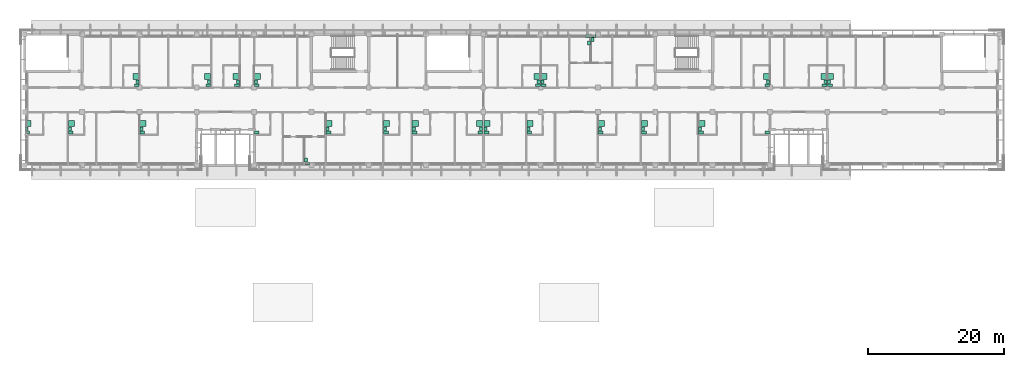
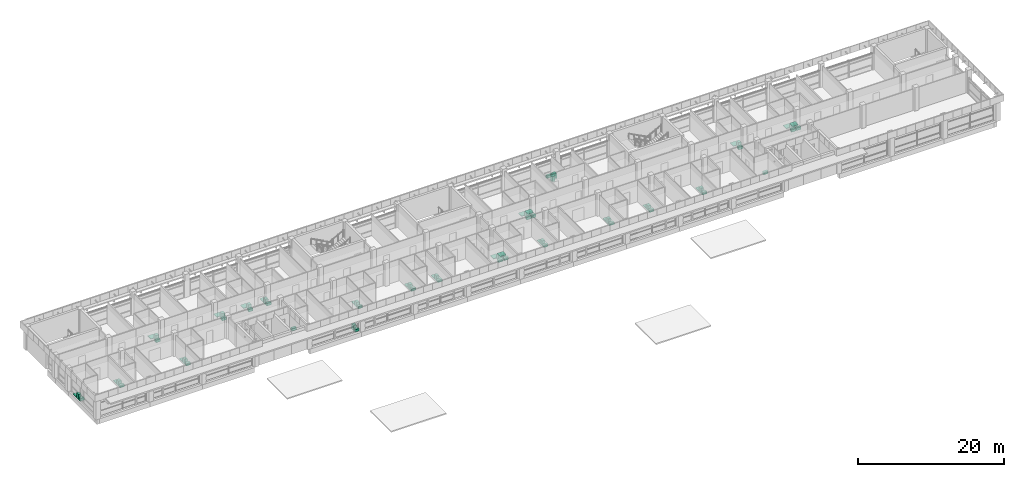
# One storey, part 36 of 36: 71 sanitary terminals.
"""IFC4 building model written with IfcOpenShell, lengths in metres."""

from ifc_helpers import new_model, si_unit, direction, frame, origin, origin_2d, place, context, subcontext, project, spatial, rectangle, extrude, material, type_object, element, save


model = new_model("IFC4")

# Units and contexts
model_context = context("Model", 3, precision=1e-05, world=origin(), true_north=direction((0.0, 1.0)))
body_context = subcontext(model_context, "Body", "Model", "MODEL_VIEW")
ifc_project = project(units=[si_unit("LENGTHUNIT", "METRE"), si_unit("AREAUNIT", "SQUARE_METRE"), si_unit("VOLUMEUNIT", "CUBIC_METRE"), si_unit("PLANEANGLEUNIT", "RADIAN"), si_unit("MASSUNIT", "GRAM", prefix="KILO")], contexts=[model_context])

# Site, building, storey
site_placement = place(None, origin())
site = spatial("IfcSite", under=ifc_project, at=site_placement, CompositionType="ELEMENT")
building_placement = place(site_placement, origin())
building = spatial("IfcBuilding", under=site, at=building_placement, Name="Bougainvillea Quay General Hospital", CompositionType="ELEMENT")
storey_placement = place(building_placement, frame((0.0, 0.0, 32.699951171875)))
storey = spatial("IfcBuildingStorey", under=building, at=storey_placement, Name="L07", CompositionType="ELEMENT", Elevation=32.699951171875)

# Sanitary terminals
ifc_material = material(Name="Vitreous china")
sanitary_terminal_type_1 = type_object("IfcSanitaryTerminalType", Name="Shower tray 900x900", PredefinedType="SHOWER", material=ifc_material)
for number, where, z_axis, x_axis, name in (
    (1, (42.449951171875, 146.52490234375, 0.0), (0.0, 0.0, 1.0), (0.0, 1.0, 0.0), "Shower tray"),
    (2, (48.824951171875, 146.52490234375, 0.0), (0.0, 0.0, 1.0), (0.0, 1.0, 0.0), "Shower tray"),
    (3, (59.300048828125, 146.52490234375, 0.0), (0.0, 0.0, 1.0), (0.0, 1.0, 0.0), "Shower tray"),
    (4, (58.300048828125, 153.425048828125, 0.0), (0.0, 0.0, 1.0), (0.0, -1.0, 0.0), "Shower tray"),
    (5, (68.77490234375, 153.425048828125, 0.0), (0.0, 0.0, 1.0), (0.0, -1.0, 0.0), "Shower tray"),
    (6, (73.0, 153.425048828125, 0.0), (0.0, 0.0, 1.0), (0.0, -1.0, 0.0), "Shower tray"),
    (7, (76.10009765625, 153.425048828125, 0.0), (0.0, 0.0, 1.0), (0.0, 1.0, 0.0), "Shower tray"),
    (8, (86.60009765625, 146.52490234375, 0.0), (0.0, 0.0, 1.0), (0.0, 1.0, 0.0), "Shower tray"),
    (9, (95.02490234375, 146.52490234375, 0.0), (0.0, 0.0, 1.0), (0.0, 1.0, 0.0), "Shower tray"),
    (10, (99.22509765625, 146.52490234375, 0.0), (0.0, 0.0, 1.0), (0.0, 1.0, 0.0), "Shower tray"),
    (11, (108.64990234375, 146.52490234375, 0.0), (0.0, 0.0, 1.0), (0.0, -1.0, 0.0), "Shower tray"),
    (12, (109.75, 146.52490234375, 0.0), (0.0, 0.0, 1.0), (0.0, 1.0, 0.0), "Shower tray"),
    (13, (116.02490234375, 146.52490234375, 0.0), (0.0, 0.0, 1.0), (0.0, 1.0, 0.0), "Shower tray"),
    (14, (126.5, 146.52490234375, 0.0), (0.0, 0.0, 1.0), (0.0, 1.0, 0.0), "Shower tray"),
    (15, (132.824951171875, 146.52490234375, 0.0), (0.0, 0.0, 1.0), (0.0, 1.0, 0.0), "Shower tray"),
    (16, (141.199951171875, 146.52490234375, 0.0), (0.0, 0.0, 1.0), (0.0, 1.0, 0.0), "Shower tray"),
    (17, (117.10009765625, 153.425048828125, 0.0), (0.0, 0.0, 1.0), (0.0, -1.0, 0.0), "Shower tray"),
    (18, (118.10009765625, 153.425048828125, 0.0), (0.0, 0.0, 1.0), (0.0, 1.0, 0.0), "Shower tray"),
    (19, (150.699951171875, 153.425048828125, 0.0), (0.0, 0.0, 1.0), (0.0, -1.0, 0.0), "Shower tray"),
    (20, (159.10009765625, 153.425048828125, 0.0), (0.0, 0.0, 1.0), (0.0, -1.0, 0.0), "Shower tray"),
    (21, (160.10009765625, 153.425048828125, 0.0), (0.0, 0.0, 1.0), (0.0, 1.0, 0.0), "Shower tray"),
):
    element("IfcSanitaryTerminal", number, at=place(storey_placement, frame(where, z_axis=z_axis, x_axis=x_axis)), inside=storey, type_object=sanitary_terminal_type_1, Name=name, PredefinedType="SHOWER", context=body_context, shape_type="SweptSolid", body=[
        extrude(rectangle(XDim=0.89990234375, YDim=0.89990234375, at=origin_2d()), origin(), (0.0, 0.0, 1.0), 0.10009765625),
    ])
sanitary_terminal_type_2 = type_object("IfcSanitaryTerminalType", Name="Wall-hung toilet pan 400x700", PredefinedType="TOILETPAN", material=ifc_material)
for number, where, z_axis, x_axis, name in (
    (22, (42.35009765625, 145.22509765625, 0.0), (0.0, 0.0, 1.0), (0.0, 1.0, 0.0), "Wall-hung toilet pan"),
    (23, (48.72509765625, 145.22509765625, 0.0), (0.0, 0.0, 1.0), (0.0, 1.0, 0.0), "Wall-hung toilet pan"),
    (24, (59.199951171875, 145.22509765625, 0.0), (0.0, 0.0, 1.0), (0.0, 1.0, 0.0), "Wall-hung toilet pan"),
    (25, (58.39990234375, 152.125, 0.0), (0.0, 0.0, 1.0), (0.0, -1.0, 0.0), "Wall-hung toilet pan"),
    (26, (68.875, 152.125, 0.0), (0.0, 0.0, 1.0), (0.0, -1.0, 0.0), "Wall-hung toilet pan"),
    (27, (73.10009765625, 152.125, 0.0), (0.0, 0.0, 1.0), (0.0, -1.0, 0.0), "Wall-hung toilet pan"),
    (28, (76.0, 152.125, 0.0), (0.0, 0.0, 1.0), (0.0, 1.0, 0.0), "Wall-hung toilet pan"),
    (29, (75.98974609375, 145.2138671875, 0.0), (0.0, 0.0, 1.0), (0.0, 1.0, 0.0), "Wall-hung toilet pan"),
    (30, (83.35009765625, 140.64990234375, 0.0), (0.0, 0.0, 1.0), (0.0, 1.0, 0.0), "Wall-hung toilet pan"),
    (31, (86.5, 145.22509765625, 0.0), (0.0, 0.0, 1.0), (0.0, 1.0, 0.0), "Wall-hung toilet pan"),
    (32, (94.925048828125, 145.22509765625, 0.0), (0.0, 0.0, 1.0), (0.0, 1.0, 0.0), "Wall-hung toilet pan"),
    (33, (99.125, 145.22509765625, 0.0), (0.0, 0.0, 1.0), (0.0, 1.0, 0.0), "Wall-hung toilet pan"),
    (34, (108.75, 145.22509765625, 0.0), (0.0, 0.0, 1.0), (0.0, -1.0, 0.0), "Wall-hung toilet pan"),
    (35, (109.64990234375, 145.22509765625, 0.0), (0.0, 0.0, 1.0), (0.0, 1.0, 0.0), "Wall-hung toilet pan"),
    (36, (115.925048828125, 145.22509765625, 0.0), (0.0, 0.0, 1.0), (0.0, 1.0, 0.0), "Wall-hung toilet pan"),
    (37, (126.39990234375, 145.22509765625, 0.0), (0.0, 0.0, 1.0), (0.0, 1.0, 0.0), "Wall-hung toilet pan"),
    (38, (132.72509765625, 145.22509765625, 0.0), (0.0, 0.0, 1.0), (0.0, 1.0, 0.0), "Wall-hung toilet pan"),
    (39, (141.10009765625, 145.22509765625, 0.0), (0.0, 0.0, 1.0), (0.0, 1.0, 0.0), "Wall-hung toilet pan"),
    (40, (150.810302734375, 145.2138671875, 0.0), (0.0, 0.0, 1.0), (0.0, -1.0, 0.0), "Wall-hung toilet pan"),
    (41, (117.199951171875, 152.125, 0.0), (0.0, 0.0, 1.0), (0.0, -1.0, 0.0), "Wall-hung toilet pan"),
    (42, (118.0, 152.125, 0.0), (0.0, 0.0, 1.0), (0.0, 1.0, 0.0), "Wall-hung toilet pan"),
    (43, (124.550048828125, 159.35009765625, 0.0), (0.0, 0.0, 1.0), (0.0, -1.0, 0.0), "Wall-hung toilet pan"),
    (44, (125.35009765625, 159.35009765625, 0.0), (0.0, 0.0, 1.0), (0.0, 1.0, 0.0), "Wall-hung toilet pan"),
    (45, (150.800048828125, 152.125, 0.0), (0.0, 0.0, 1.0), (0.0, -1.0, 0.0), "Wall-hung toilet pan"),
    (46, (159.199951171875, 152.125, 0.0), (0.0, 0.0, 1.0), (0.0, -1.0, 0.0), "Wall-hung toilet pan"),
    (47, (160.0, 152.125, 0.0), (0.0, 0.0, 1.0), (0.0, 1.0, 0.0), "Wall-hung toilet pan"),
):
    element("IfcSanitaryTerminal", number, at=place(storey_placement, frame(where, z_axis=z_axis, x_axis=x_axis)), inside=storey, type_object=sanitary_terminal_type_2, Name=name, PredefinedType="TOILETPAN", context=body_context, shape_type="SweptSolid", body=[
        extrude(rectangle(XDim=0.39990234375, YDim=0.699951171875, at=origin_2d()), origin(), (0.0, 0.0, 1.0), 0.39990234375),
    ])
sanitary_terminal_type_3 = type_object("IfcSanitaryTerminalType", Name="Wash hand basin 550x450", PredefinedType="WASHHANDBASIN", material=ifc_material)
for number, where, z_axis, x_axis, name in (
    (48, (42.22509765625, 145.75, 0.0), (0.0, 0.0, 1.0), (0.0, 1.0, 0.0), "Wash hand basin"),
    (49, (48.60009765625, 145.75, 0.0), (0.0, 0.0, 1.0), (0.0, 1.0, 0.0), "Wash hand basin"),
    (50, (59.074951171875, 145.75, 0.0), (0.0, 0.0, 1.0), (0.0, 1.0, 0.0), "Wash hand basin"),
    (51, (58.52490234375, 152.64990234375, 0.0), (0.0, 0.0, 1.0), (0.0, -1.0, 0.0), "Wash hand basin"),
    (52, (69.0, 152.64990234375, 0.0), (0.0, 0.0, 1.0), (0.0, -1.0, 0.0), "Wash hand basin"),
    (53, (73.22509765625, 152.64990234375, 0.0), (0.0, 0.0, 1.0), (0.0, -1.0, 0.0), "Wash hand basin"),
    (54, (75.875, 152.64990234375, 0.0), (0.0, 0.0, 1.0), (0.0, 1.0, 0.0), "Wash hand basin"),
    (55, (83.22509765625, 141.175048828125, 0.0), (0.0, 0.0, 1.0), (0.0, 1.0, 0.0), "Wash hand basin"),
    (56, (86.375, 145.75, 0.0), (0.0, 0.0, 1.0), (0.0, 1.0, 0.0), "Wash hand basin"),
    (57, (94.800048828125, 145.75, 0.0), (0.0, 0.0, 1.0), (0.0, 1.0, 0.0), "Wash hand basin"),
    (58, (99.0, 145.75, 0.0), (0.0, 0.0, 1.0), (0.0, 1.0, 0.0), "Wash hand basin"),
    (59, (108.875, 145.75, 0.0), (0.0, 0.0, 1.0), (0.0, -1.0, 0.0), "Wash hand basin"),
    (60, (109.52490234375, 145.75, 0.0), (0.0, 0.0, 1.0), (0.0, 1.0, 0.0), "Wash hand basin"),
    (61, (115.800048828125, 145.75, 0.0), (0.0, 0.0, 1.0), (0.0, 1.0, 0.0), "Wash hand basin"),
    (62, (126.27490234375, 145.75, 0.0), (0.0, 0.0, 1.0), (0.0, 1.0, 0.0), "Wash hand basin"),
    (63, (132.60009765625, 145.75, 0.0), (0.0, 0.0, 1.0), (0.0, 1.0, 0.0), "Wash hand basin"),
    (64, (140.97509765625, 145.75, 0.0), (0.0, 0.0, 1.0), (0.0, 1.0, 0.0), "Wash hand basin"),
    (65, (117.324951171875, 152.64990234375, 0.0), (0.0, 0.0, 1.0), (0.0, -1.0, 0.0), "Wash hand basin"),
    (66, (117.875, 152.64990234375, 0.0), (0.0, 0.0, 1.0), (0.0, 1.0, 0.0), "Wash hand basin"),
    (67, (124.675048828125, 158.324951171875, 0.0), (0.0, 0.0, 1.0), (0.0, -1.0, 0.0), "Wash hand basin"),
    (68, (125.22509765625, 158.824951171875, 0.0), (0.0, 0.0, 1.0), (0.0, 1.0, 0.0), "Wash hand basin"),
    (69, (150.925048828125, 152.64990234375, 0.0), (0.0, 0.0, 1.0), (0.0, -1.0, 0.0), "Wash hand basin"),
    (70, (159.324951171875, 152.64990234375, 0.0), (0.0, 0.0, 1.0), (0.0, -1.0, 0.0), "Wash hand basin"),
    (71, (159.875, 152.64990234375, 0.0), (0.0, 0.0, 1.0), (0.0, 1.0, 0.0), "Wash hand basin"),
):
    element("IfcSanitaryTerminal", number, at=place(storey_placement, frame(where, z_axis=z_axis, x_axis=x_axis)), inside=storey, type_object=sanitary_terminal_type_3, Name=name, PredefinedType="WASHHANDBASIN", context=body_context, shape_type="SweptSolid", body=[
        extrude(rectangle(XDim=0.550048828125, YDim=0.449951171875, at=origin_2d()), origin(), (0.0, 0.0, 1.0), 0.85009765625),
    ])

save(model, "model.ifc")
